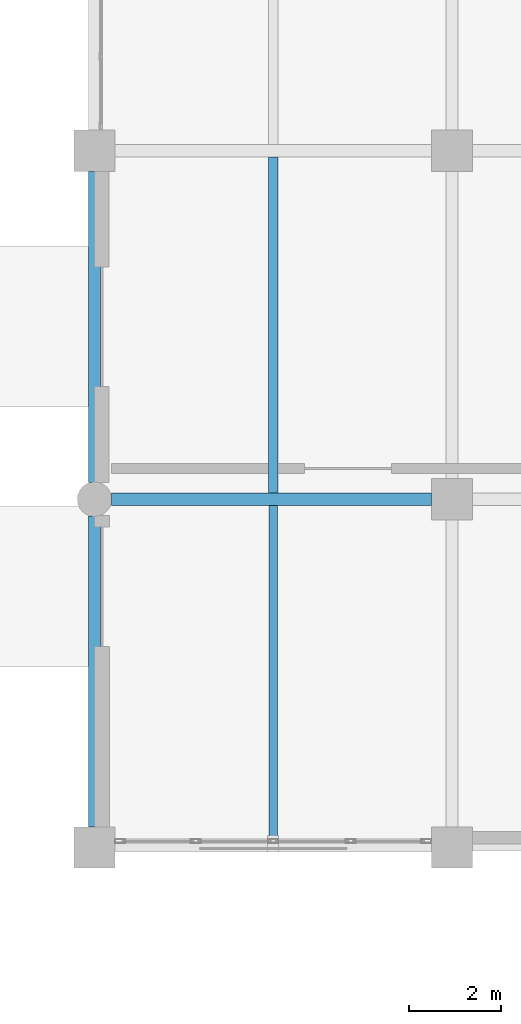
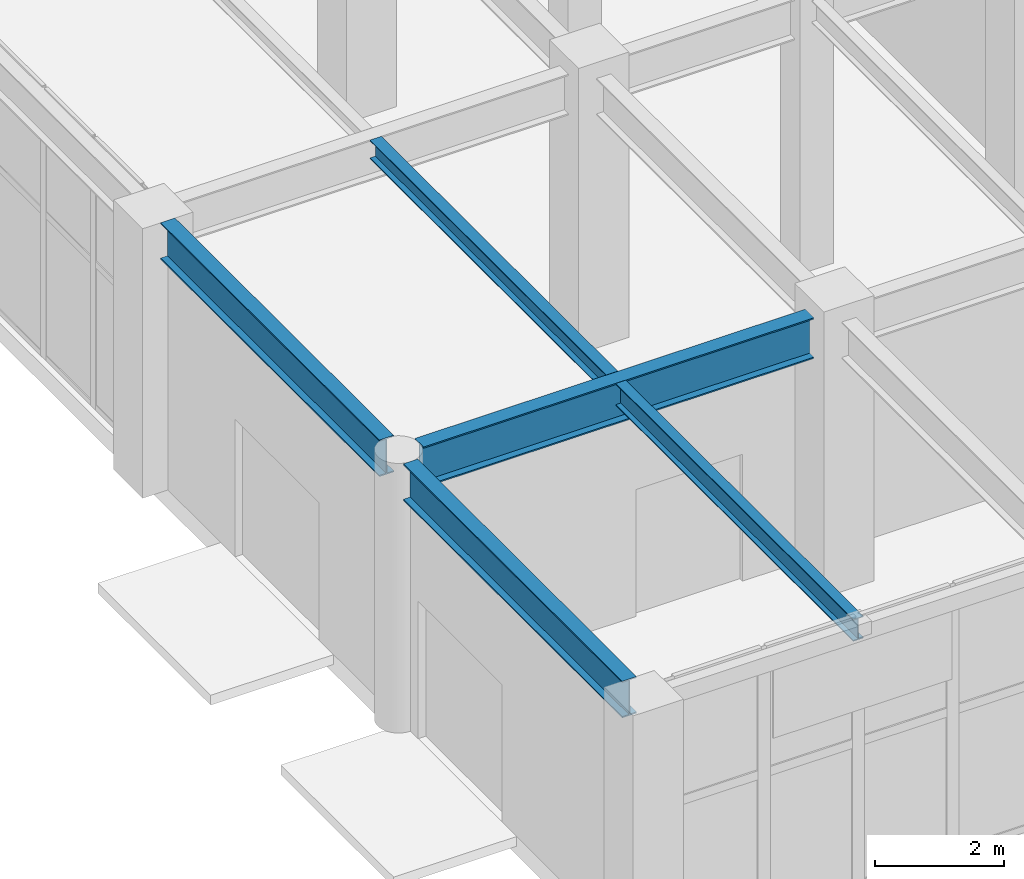
# One storey, part 74 of 139: 5 beams.
"""IFC4 building model written with IfcOpenShell, lengths in metres."""

from ifc_helpers import new_model, si_unit, direction, frame, origin, origin_2d, place, context, subcontext, project, spatial, i_section, extrude, material, material_profile, profile_set, type_object, element, save


model = new_model("IFC4")

# Units and contexts
model_context = context("Model", 3, precision=1e-05, world=origin(), true_north=direction((0.0, 1.0)))
body_context = subcontext(model_context, "Body", "Model", "MODEL_VIEW")
ifc_project = project(units=[si_unit("LENGTHUNIT", "METRE"), si_unit("AREAUNIT", "SQUARE_METRE"), si_unit("VOLUMEUNIT", "CUBIC_METRE"), si_unit("PLANEANGLEUNIT", "RADIAN"), si_unit("MASSUNIT", "GRAM", prefix="KILO")], contexts=[model_context])

# Site, building, storey
site_placement = place(None, origin())
site = spatial("IfcSite", under=ifc_project, at=site_placement, CompositionType="ELEMENT")
building_placement = place(site_placement, origin())
building = spatial("IfcBuilding", under=site, at=building_placement, Name="Xicomal Pleat Aquarium", CompositionType="ELEMENT")
storey_placement = place(building_placement, origin())
storey = spatial("IfcBuildingStorey", under=building, at=storey_placement, Name="L01", CompositionType="ELEMENT", Elevation=0.0)

# Beams
ifc_material_1 = material(Name="Structural steel A992 Gr 50", Category="steel")
ifc_material_profile_1 = material_profile(ifc_material_1, i_section(OverallWidth=0.205078125, OverallDepth=0.35400390625, WebThickness=0.009521484375, FlangeThickness=0.016845703125, at=origin_2d()), Name="IR 360x79")
ifc_profile_set_1 = profile_set([ifc_material_profile_1], Name="Structural steel A992 Gr 50")
beam_type_1 = type_object("IfcBeamType", Name="BM-STL-IR360", PredefinedType="JOIST", material=ifc_profile_set_1)
beam_1_placement = place(storey_placement, frame((129.89990234375, 83.737060546875, 4.923095703125), z_axis=(0.0, 1.0, 0.0), x_axis=(-1.0, 0.0, 0.0)))
element("IfcBeam", 1, at=beam_1_placement, inside=storey, type_object=beam_type_1, Name="L01 framing beam FBJ-L01-16-M-1", PredefinedType="JOIST", context=body_context, shape_type="SweptSolid", body=[
    extrude(i_section(OverallWidth=0.205078125, OverallDepth=0.35400390625, WebThickness=0.009521484375, FlangeThickness=0.016845703125, at=origin_2d()), origin(), (0.0, 0.0, 1.0), 7.325927734375),
])
ifc_material_2 = material(Name="Structural steel A992 Gr 50", Category="steel")
ifc_material_profile_2 = material_profile(ifc_material_2, i_section(OverallWidth=0.180908203125, OverallDepth=0.4169921875, WebThickness=0.010986328125, FlangeThickness=0.018310546875, at=origin_2d()), Name="IR 410x85")
ifc_profile_set_2 = profile_set([ifc_material_profile_2], Name="Structural steel A992 Gr 50")
beam_type_2 = type_object("IfcBeamType", Name="BM-STL-IR410", PredefinedType="JOIST", material=ifc_profile_set_2)
beam_2_placement = place(storey_placement, frame((129.89990234375, 76.10302734375, 4.8916015625), z_axis=(0.0, 1.0, 0.0), x_axis=(-1.0, 0.0, 0.0)))
element("IfcBeam", 2, at=beam_2_placement, inside=storey, type_object=beam_type_2, Name="L01 framing beam FBJ-L01-16-L-1", PredefinedType="JOIST", context=body_context, shape_type="SweptSolid", body=[
    extrude(i_section(OverallWidth=0.180908203125, OverallDepth=0.4169921875, WebThickness=0.010986328125, FlangeThickness=0.018310546875, at=origin_2d()), origin(), (0.0, 0.0, 1.0), 7.35986328125),
])
ifc_material_3 = material(Name="Structural steel A992 Gr 50", Category="steel")
ifc_material_profile_3 = material_profile(ifc_material_3, i_section(OverallWidth=0.256103515625, OverallDepth=0.693115234375, WebThickness=0.014404296875, FlangeThickness=0.023681640625, at=origin_2d()), Name="IR 690x170")
ifc_profile_set_3 = profile_set([ifc_material_profile_3], Name="Structural steel A992 Gr 50")
beam_type_3 = type_object("IfcBeamType", Name="BM-STL-IR690", PredefinedType="BEAM", material=ifc_profile_set_3)
for number, where, z_axis, x_axis, name in (
    (3, (126.0, 76.445068359375, 4.75341796875), (0.0, 1.0, 0.0), (-1.0, 0.0, 0.0), "L01 framing beam FGY-L01-16-L-M"),
    (4, (126.0, 83.969970703125, 4.75341796875), (0.0, 1.0, 0.0), (-1.0, 0.0, 0.0), "L01 framing beam FGY-L01-16-M-N"),
):
    element("IfcBeam", number, at=place(storey_placement, frame(where, z_axis=z_axis, x_axis=x_axis)), inside=storey, type_object=beam_type_3, Name=name, PredefinedType="BEAM", context=body_context, shape_type="SweptSolid", body=[
        extrude(i_section(OverallWidth=0.256103515625, OverallDepth=0.693115234375, WebThickness=0.014404296875, FlangeThickness=0.023681640625, at=origin_2d()), origin(), (0.0, 0.0, 1.0), 6.784912109375),
    ])
ifc_material_4 = material(Name="Structural steel A992 Gr 50", Category="steel")
ifc_material_profile_4 = material_profile(ifc_material_4, i_section(OverallWidth=0.26806640625, OverallDepth=0.77001953125, WebThickness=0.015625, FlangeThickness=0.025390625, at=origin_2d()), Name="IR 760x196")
ifc_profile_set_4 = profile_set([ifc_material_profile_4], Name="Structural steel A992 Gr 50")
beam_type_4 = type_object("IfcBeamType", Name="BM-STL-IR760", PredefinedType="BEAM", material=ifc_profile_set_4)
beam_3_placement = place(storey_placement, frame((126.3701171875, 83.60009765625, 4.715087890625), z_axis=(1.0, 0.0, 0.0), x_axis=(0.0, 1.0, 0.0)))
element("IfcBeam", 5, at=beam_3_placement, inside=storey, type_object=beam_type_4, Name="L01 framing beam FGX-L01-16-17-M", PredefinedType="BEAM", context=body_context, shape_type="SweptSolid", body=[
    extrude(i_section(OverallWidth=0.26806640625, OverallDepth=0.77001953125, WebThickness=0.015625, FlangeThickness=0.025390625, at=origin_2d()), origin(), (0.0, 0.0, 1.0), 6.98486328125),
])

save(model, "model.ifc")
